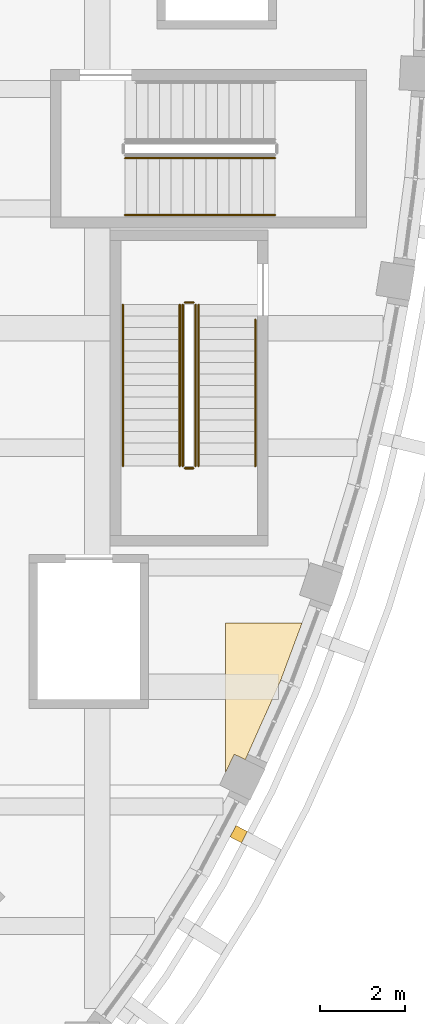
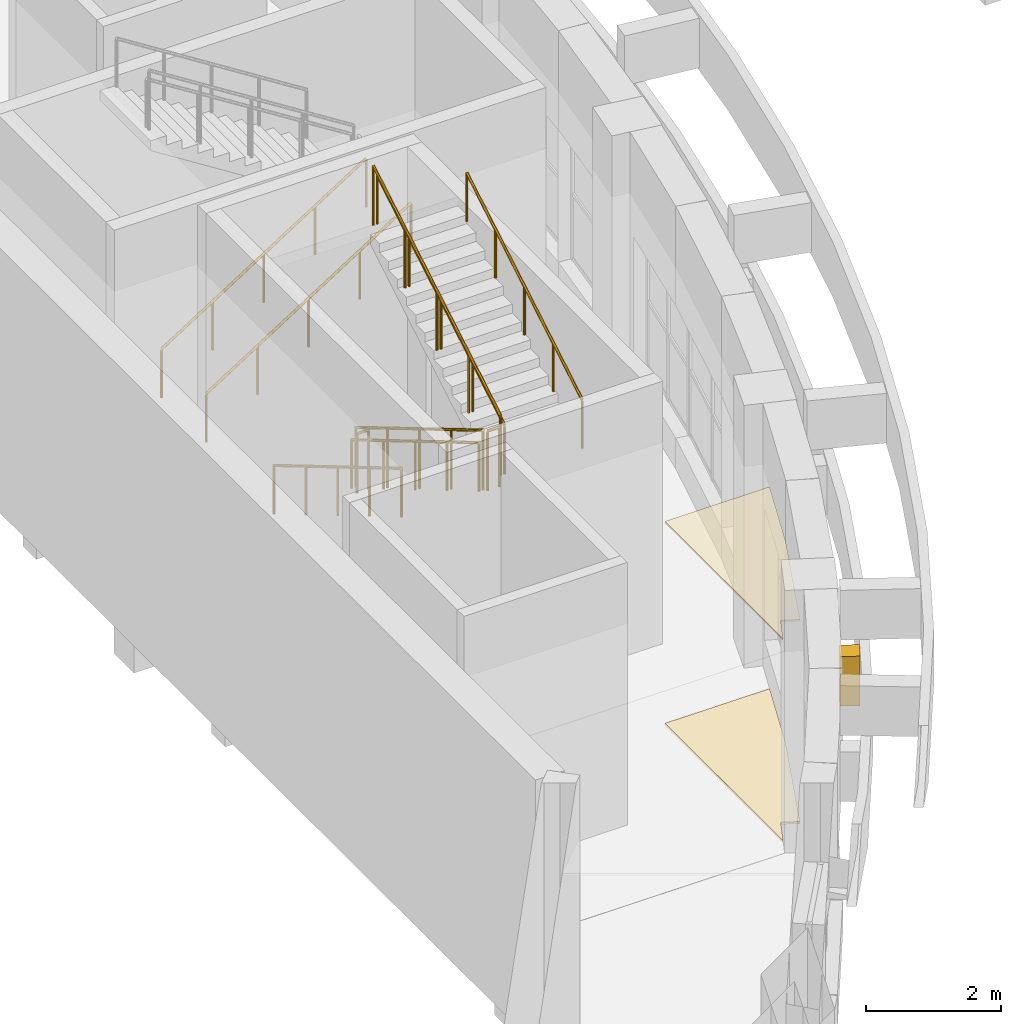
# One storey, part 69 of 79: 10 railings, 3 coverings.
"""IFC4 building model written with IfcOpenShell, lengths in metres."""

from ifc_helpers import new_model, si_unit, direction, frame, origin, origin_2d, place, context, subcontext, project, spatial, polyline, rectangle, circle, outline, extrude, material, layer, layer_set, type_object, element, save


model = new_model("IFC4")

# Units and contexts
model_context = context("Model", 3, precision=1e-05, world=origin(), true_north=direction((0.0, 1.0)))
body_context = subcontext(model_context, "Body", "Model", "MODEL_VIEW")
ifc_project = project(units=[si_unit("LENGTHUNIT", "METRE"), si_unit("AREAUNIT", "SQUARE_METRE"), si_unit("VOLUMEUNIT", "CUBIC_METRE"), si_unit("PLANEANGLEUNIT", "RADIAN"), si_unit("MASSUNIT", "GRAM", prefix="KILO")], contexts=[model_context])

# Site, building, storey
site_placement = place(None, origin())
site = spatial("IfcSite", under=ifc_project, at=site_placement, CompositionType="ELEMENT")
building_placement = place(site_placement, origin())
building = spatial("IfcBuilding", under=site, at=building_placement, Name="Larchfold Concert Hall", CompositionType="ELEMENT")
storey_placement = place(building_placement, frame((0.0, 0.0, 14.39990234375)))
storey = spatial("IfcBuildingStorey", under=building, at=storey_placement, Name="L03", CompositionType="ELEMENT", Elevation=14.39990234375)

# Coverings
ifc_material_1 = material(Name="Plasterboard ceiling lining")
ifc_layer_1 = layer(ifc_material_1, 0.030029296875)
ifc_layer_set_1 = layer_set([ifc_layer_1], Name="Plasterboard ceiling lining")
covering_type_1 = type_object("IfcCoveringType", Name="Ceiling suspended plasterboard 30", PredefinedType="CEILING", material=ifc_layer_set_1)
covering_1_placement = place(storey_placement, frame((0.0, 0.0, 3.670166015625)))
element("IfcCovering", 1, at=covering_1_placement, inside=storey, type_object=covering_type_1, Name="Ceiling Hall Foyer South East", PredefinedType="CEILING", context=body_context, shape_type="SweptSolid", body=[
    extrude(outline(polyline([(62.865966796875, 66.0966796875), (63.69287109375, 67.953369140625), (64.19384765625, 69.300048828125), (62.400146484375, 69.300048828125), (62.400146484375, 65.79345703125), (62.607666015625, 66.2216796875), (62.865966796875, 66.0966796875)])), origin(), (0.0, 0.0, 1.0), 0.030029296875),
])
ifc_material_2 = material(Name="Polished terrazzo")
ifc_layer_2 = layer(ifc_material_2, 0.0400390625)
ifc_layer_set_2 = layer_set([ifc_layer_2], Name="Polished terrazzo")
covering_type_2 = type_object("IfcCoveringType", Name="Floor finish terrazzo 40", PredefinedType="FLOORING", material=ifc_layer_set_2)
covering_2_placement = place(storey_placement, origin())
element("IfcCovering", 2, at=covering_2_placement, inside=storey, type_object=covering_type_2, Name="Floor finish Hall Foyer South East", PredefinedType="FLOORING", context=body_context, shape_type="SweptSolid", body=[
    extrude(outline(polyline([(62.865966796875, 66.0966796875), (63.69287109375, 67.953369140625), (64.19384765625, 69.300048828125), (62.400146484375, 69.300048828125), (62.400146484375, 65.79345703125), (62.607666015625, 66.2216796875), (62.865966796875, 66.0966796875)])), origin(), (0.0, 0.0, 1.0), 0.0400390625),
])
ifc_material_3 = material(Name="Galvanised steel bracket", Category="steel")
ifc_layer_3 = layer(ifc_material_3, 0.300048828125)
ifc_layer_set_3 = layer_set([ifc_layer_3], Name="Galvanised steel bracket")
covering_type_3 = type_object("IfcCoveringType", Name="Ring support bracket", PredefinedType="CLADDING", material=ifc_layer_set_3)
covering_3_placement = place(storey_placement, frame((62.710693359375, 64.351806640625, 3.35009765625), z_axis=(0.0, 0.0, 1.0), x_axis=(0.884535681061, -0.466472538238, 0.0)))
element("IfcCovering", 3, at=covering_3_placement, inside=storey, type_object=covering_type_3, Name="Ring bracket BR-R06-29", PredefinedType="CLADDING", context=body_context, shape_type="SweptSolid", body=[
    extrude(rectangle(XDim=0.300048828125, YDim=0.300048828125, at=origin_2d()), origin(), (0.0, 0.0, 1.0), 0.89990234375),
])

# Railings
ifc_material_4 = material(Name="Stainless steel balustrade", Category="steel")
railing_type_1 = type_object("IfcRailingType", Name="Stair guard 1100", PredefinedType="GUARDRAIL", material=ifc_material_4)
railing_1_placement = place(storey_placement, frame((61.39990234375, 76.75, 0.16015625)))
element("IfcRailing", 4, at=railing_1_placement, inside=storey, type_object=railing_type_1, Name="Guard GR0025", PredefinedType="GUARDRAIL", context=body_context, shape_type="SweptSolid", body=[
    extrude(circle(Radius=0.02392578125, at=origin_2d()), frame((0.0, 0.0, 1.076171875), z_axis=(0.0, -0.860294241299, 0.509797821089), x_axis=(1.0, 0.0, 0.0)), (0.0, 0.0, 1.0), 4.393798828125),
    extrude(circle(Radius=0.02099609375, at=origin_2d()), origin(), (0.0, 0.0, 1.0), 1.052001953125),
    extrude(circle(Radius=0.02099609375, at=origin_2d()), frame((0.0, -0.945068359375, 0.56005859375)), (0.0, 0.0, 1.0), 1.052001953125),
    extrude(circle(Radius=0.02099609375, at=origin_2d()), frame((0.0, -1.89013671875, 1.1201171875)), (0.0, 0.0, 1.0), 1.052001953125),
    extrude(circle(Radius=0.02099609375, at=origin_2d()), frame((0.0, -2.8349609375, 1.679931640625)), (0.0, 0.0, 1.0), 1.052001953125),
    extrude(circle(Radius=0.02099609375, at=origin_2d()), frame((0.0, -3.780029296875, 2.239990234375)), (0.0, 0.0, 1.0), 1.052001953125),
])
railing_2_placement = place(storey_placement, frame((61.449951171875, 72.919921875, 2.400146484375)))
element("IfcRailing", 5, at=railing_2_placement, inside=storey, type_object=railing_type_1, Name="Guard GR0026", PredefinedType="GUARDRAIL", context=body_context, shape_type="SweptSolid", body=[
    extrude(circle(Radius=0.02392578125, at=origin_2d()), frame((0.0, 0.0, 1.076171875), z_axis=(1.0, 0.0, 0.0), x_axis=(0.0, 1.0, 0.0)), (0.0, 0.0, 1.0), 0.199951171875),
    extrude(circle(Radius=0.02099609375, at=origin_2d()), origin(), (0.0, 0.0, 1.0), 1.052001953125),
    extrude(circle(Radius=0.02099609375, at=origin_2d()), frame((0.199951171875, 0.0, 0.0)), (0.0, 0.0, 1.0), 1.052001953125),
])
railing_3_placement = place(storey_placement, frame((61.699951171875, 72.969970703125, 2.56005859375)))
element("IfcRailing", 6, at=railing_3_placement, inside=storey, type_object=railing_type_1, Name="Guard GR0027", PredefinedType="GUARDRAIL", context=body_context, shape_type="SweptSolid", body=[
    extrude(circle(Radius=0.02392578125, at=origin_2d()), frame((0.0, 0.0, 1.076171875), z_axis=(0.0, 0.860294241299, 0.509797821089), x_axis=(-1.0, 0.0, 0.0)), (0.0, 0.0, 1.0), 4.393798828125),
    extrude(circle(Radius=0.02099609375, at=origin_2d()), origin(), (0.0, 0.0, 1.0), 1.052001953125),
    extrude(circle(Radius=0.02099609375, at=origin_2d()), frame((0.0, 0.945068359375, 0.56005859375)), (0.0, 0.0, 1.0), 1.052001953125),
    extrude(circle(Radius=0.02099609375, at=origin_2d()), frame((0.0, 1.89013671875, 1.1201171875)), (0.0, 0.0, 1.0), 1.052001953125),
    extrude(circle(Radius=0.02099609375, at=origin_2d()), frame((0.0, 2.8349609375, 1.679931640625)), (0.0, 0.0, 1.0), 1.052001953125),
    extrude(circle(Radius=0.02099609375, at=origin_2d()), frame((0.0, 3.780029296875, 2.239990234375)), (0.0, 0.0, 1.0), 1.052001953125),
])
railing_4_placement = place(storey_placement, frame((61.449951171875, 76.800048828125, 0.0)))
element("IfcRailing", 7, at=railing_4_placement, inside=storey, type_object=railing_type_1, Name="Guard GR0028", PredefinedType="GUARDRAIL", context=body_context, shape_type="SweptSolid", body=[
    extrude(circle(Radius=0.02392578125, at=origin_2d()), frame((0.0, 0.0, 1.076171875), z_axis=(1.0, 0.0, 0.0), x_axis=(0.0, 1.0, 0.0)), (0.0, 0.0, 1.0), 0.199951171875),
    extrude(circle(Radius=0.02099609375, at=origin_2d()), origin(), (0.0, 0.0, 1.0), 1.052001953125),
    extrude(circle(Radius=0.02099609375, at=origin_2d()), frame((0.199951171875, 0.0, 0.0)), (0.0, 0.0, 1.0), 1.052001953125),
])
ifc_material_5 = material(Name="Stainless steel handrail", Category="steel")
railing_type_2 = type_object("IfcRailingType", Name="Stair handrail 900", PredefinedType="HANDRAIL", material=ifc_material_5)
railing_5_placement = place(storey_placement, frame((60.0, 76.75, 0.16015625)))
element("IfcRailing", 8, at=railing_5_placement, inside=storey, type_object=railing_type_2, Name="Handrail HR0021", PredefinedType="HANDRAIL", context=body_context, shape_type="SweptSolid", body=[
    extrude(circle(Radius=0.02392578125, at=origin_2d()), frame((0.0, 0.0, 0.8759765625), z_axis=(0.0, -0.860294241299, 0.509797821089), x_axis=(1.0, 0.0, 0.0)), (0.0, 0.0, 1.0), 4.393798828125),
    extrude(circle(Radius=0.02099609375, at=origin_2d()), origin(), (0.0, 0.0, 1.0), 0.851806640625),
    extrude(circle(Radius=0.02099609375, at=origin_2d()), frame((0.0, -0.945068359375, 0.56005859375)), (0.0, 0.0, 1.0), 0.851806640625),
    extrude(circle(Radius=0.02099609375, at=origin_2d()), frame((0.0, -1.89013671875, 1.1201171875)), (0.0, 0.0, 1.0), 0.851806640625),
    extrude(circle(Radius=0.02099609375, at=origin_2d()), frame((0.0, -2.8349609375, 1.679931640625)), (0.0, 0.0, 1.0), 0.851806640625),
    extrude(circle(Radius=0.02099609375, at=origin_2d()), frame((0.0, -3.780029296875, 2.239990234375)), (0.0, 0.0, 1.0), 0.851806640625),
])
railing_6_placement = place(storey_placement, frame((63.10009765625, 72.969970703125, 2.56005859375)))
element("IfcRailing", 9, at=railing_6_placement, inside=storey, type_object=railing_type_2, Name="Handrail HR0022", PredefinedType="HANDRAIL", context=body_context, shape_type="SweptSolid", body=[
    extrude(circle(Radius=0.02392578125, at=origin_2d()), frame((0.0, 0.0, 0.8759765625), z_axis=(0.0, 0.860273629211, 0.509832602805), x_axis=(-1.0, 0.0, 0.0)), (0.0, 0.0, 1.0), 3.987060546875),
    extrude(circle(Radius=0.02099609375, at=origin_2d()), origin(), (0.0, 0.0, 1.0), 0.851806640625),
    extrude(circle(Radius=0.02099609375, at=origin_2d()), frame((0.0, 0.857421875, 0.50830078125)), (0.0, 0.0, 1.0), 0.851806640625),
    extrude(circle(Radius=0.02099609375, at=origin_2d()), frame((0.0, 1.71484375, 1.016357421875)), (0.0, 0.0, 1.0), 0.851806640625),
    extrude(circle(Radius=0.02099609375, at=origin_2d()), frame((0.0, 2.572509765625, 1.5244140625)), (0.0, 0.0, 1.0), 0.851806640625),
    extrude(circle(Radius=0.02099609375, at=origin_2d()), frame((0.0, 3.429931640625, 2.03271484375)), (0.0, 0.0, 1.0), 0.851806640625),
])
railing_7_placement = place(storey_placement, frame((61.329833984375, 76.75, 0.16015625)))
element("IfcRailing", 10, at=railing_7_placement, inside=storey, type_object=railing_type_2, Name="Handrail HR0023", PredefinedType="HANDRAIL", context=body_context, shape_type="SweptSolid", body=[
    extrude(circle(Radius=0.02392578125, at=origin_2d()), frame((0.0, 0.0, 0.8759765625), z_axis=(0.0, -0.860294241299, 0.509797821089), x_axis=(1.0, 0.0, 0.0)), (0.0, 0.0, 1.0), 4.393798828125),
    extrude(circle(Radius=0.02099609375, at=origin_2d()), origin(), (0.0, 0.0, 1.0), 0.851806640625),
    extrude(circle(Radius=0.02099609375, at=origin_2d()), frame((0.0, -0.945068359375, 0.56005859375)), (0.0, 0.0, 1.0), 0.851806640625),
    extrude(circle(Radius=0.02099609375, at=origin_2d()), frame((0.0, -1.89013671875, 1.1201171875)), (0.0, 0.0, 1.0), 0.851806640625),
    extrude(circle(Radius=0.02099609375, at=origin_2d()), frame((0.0, -2.8349609375, 1.679931640625)), (0.0, 0.0, 1.0), 0.851806640625),
    extrude(circle(Radius=0.02099609375, at=origin_2d()), frame((0.0, -3.780029296875, 2.239990234375)), (0.0, 0.0, 1.0), 0.851806640625),
])
railing_8_placement = place(storey_placement, frame((61.77001953125, 72.969970703125, 2.56005859375)))
element("IfcRailing", 11, at=railing_8_placement, inside=storey, type_object=railing_type_2, Name="Handrail HR0024", PredefinedType="HANDRAIL", context=body_context, shape_type="SweptSolid", body=[
    extrude(circle(Radius=0.02392578125, at=origin_2d()), frame((0.0, 0.0, 0.8759765625), z_axis=(0.0, 0.860294241299, 0.509797821089), x_axis=(-1.0, 0.0, 0.0)), (0.0, 0.0, 1.0), 4.393798828125),
    extrude(circle(Radius=0.02099609375, at=origin_2d()), origin(), (0.0, 0.0, 1.0), 0.851806640625),
    extrude(circle(Radius=0.02099609375, at=origin_2d()), frame((0.0, 0.945068359375, 0.56005859375)), (0.0, 0.0, 1.0), 0.851806640625),
    extrude(circle(Radius=0.02099609375, at=origin_2d()), frame((0.0, 1.89013671875, 1.1201171875)), (0.0, 0.0, 1.0), 0.851806640625),
    extrude(circle(Radius=0.02099609375, at=origin_2d()), frame((0.0, 2.8349609375, 1.679931640625)), (0.0, 0.0, 1.0), 0.851806640625),
    extrude(circle(Radius=0.02099609375, at=origin_2d()), frame((0.0, 3.780029296875, 2.239990234375)), (0.0, 0.0, 1.0), 0.851806640625),
])
for number, where, name in (
    (12, (60.050048828125, 78.85009765625, 0.171630859375), "Handrail HR0029"),
    (13, (60.050048828125, 80.179931640625, 0.171630859375), "Handrail HR0031"),
):
    element("IfcRailing", number, at=place(storey_placement, frame(where)), inside=storey, type_object=railing_type_2, Name=name, PredefinedType="HANDRAIL", context=body_context, shape_type="SweptSolid", body=[
        extrude(circle(Radius=0.02392578125, at=origin_2d()), frame((0.0, 0.0, 0.8759765625), z_axis=(0.844219563411, 0.0, 0.53599750816), x_axis=(0.0, 1.0, 0.0)), (0.0, 0.0, 1.0), 4.15771484375),
        extrude(circle(Radius=0.02099609375, at=origin_2d()), origin(), (0.0, 0.0, 1.0), 0.851806640625),
        extrude(circle(Radius=0.02099609375, at=origin_2d()), frame((0.87744140625, 0.0, 0.55712890625)), (0.0, 0.0, 1.0), 0.851806640625),
        extrude(circle(Radius=0.02099609375, at=origin_2d()), frame((1.7548828125, 0.0, 1.1142578125)), (0.0, 0.0, 1.0), 0.851806640625),
        extrude(circle(Radius=0.02099609375, at=origin_2d()), frame((2.632568359375, 0.0, 1.67138671875)), (0.0, 0.0, 1.0), 0.851806640625),
        extrude(circle(Radius=0.02099609375, at=origin_2d()), frame((3.510009765625, 0.0, 2.228515625)), (0.0, 0.0, 1.0), 0.851806640625),
    ])

save(model, "model.ifc")
